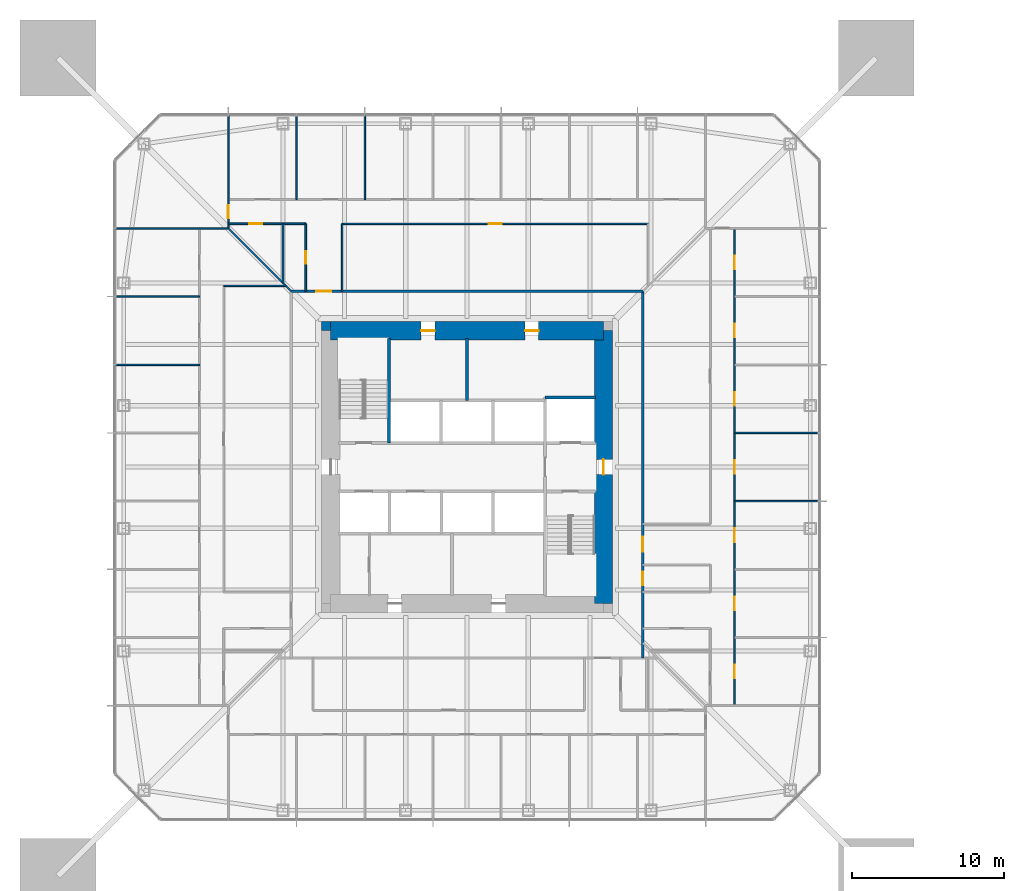
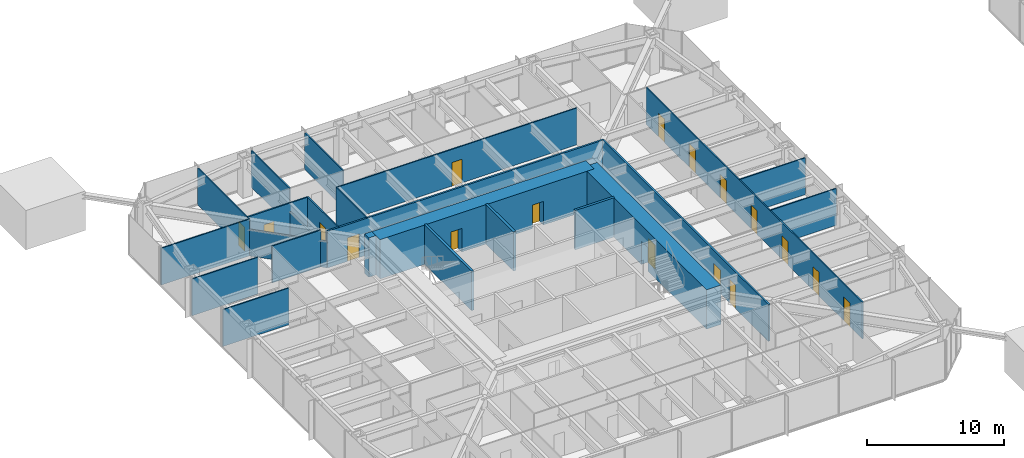
# One storey, part 16 of 26: 24 walls, 17 doors, 17 openings.
"""IFC4 building model written with IfcOpenShell, lengths in metres."""

from ifc_helpers import new_model, si_unit, direction, frame, frame_2d, origin, place, context, subcontext, project, spatial, rectangle, extrude, material, layer, layer_set, type_object, element, fill, save


model = new_model("IFC4")

# Units and contexts
model_context = context("Model", 3, precision=1e-05, world=origin(), true_north=direction((0.0, 1.0)))
body_context = subcontext(model_context, "Body", "Model", "MODEL_VIEW")
ifc_project = project(units=[si_unit("LENGTHUNIT", "METRE"), si_unit("AREAUNIT", "SQUARE_METRE"), si_unit("VOLUMEUNIT", "CUBIC_METRE"), si_unit("PLANEANGLEUNIT", "RADIAN"), si_unit("MASSUNIT", "GRAM", prefix="KILO")], contexts=[model_context])

# Site, building, storey
site_placement = place(None, origin())
site = spatial("IfcSite", under=ifc_project, at=site_placement, CompositionType="ELEMENT")
building_placement = place(site_placement, origin())
building = spatial("IfcBuilding", under=site, at=building_placement, Name="Iwan Alto Co-Living Towers", CompositionType="ELEMENT")
storey_placement = place(building_placement, frame((0.0, 0.0, 22.0)))
storey = spatial("IfcBuildingStorey", under=building, at=storey_placement, Name="L05", CompositionType="ELEMENT", Elevation=22.0)

# Wall, opening, door
ifc_material_1 = material(Name="Gypsum board")
ifc_layer_1 = layer(ifc_material_1, 0.02490234375, Name="Board", Category="Finish")
ifc_material_2 = material(Name="Steel ASTM A1003 ST33H cold-formed studs", Category="steel")
ifc_layer_2 = layer(ifc_material_2, 0.10009765625, Name="Studs", Category="Framing")
ifc_layer_3 = layer(ifc_material_1, 0.02490234375, Name="Board", Category="Finish")
ifc_layer_set_1 = layer_set([ifc_layer_1, ifc_layer_2, ifc_layer_3], Name="CORRIDOR WALL 150")
wall_type_1 = type_object("IfcWallType", Name="CORRIDOR WALL 150", PredefinedType="PARTITIONING", material=ifc_layer_set_1)
wall_1_placement = place(storey_placement, frame((-11.60009765625, 11.60009765625, 0.0), z_axis=(0.0, 0.0, 1.0), x_axis=(1.0, 0.0, 0.0)))
wall_1 = element("IfcWall", 1, at=wall_1_placement, inside=storey, type_object=wall_type_1, Name="Partition L05", PredefinedType="PARTITIONING", context=body_context, shape_type="SweptSolid", body=[
    extrude(rectangle(XDim=23.2001953125, YDim=0.14990234375, at=frame_2d((11.60009765625, 0.0))), origin(), (0.0, 0.0, 1.0), 3.27001953125),
])
opening_1_placement = place(wall_1_placement, frame((1.64990234375, 0.0, 0.0)))
opening_1 = element("IfcOpeningElement", 2, at=opening_1_placement, cuts=wall_1, Name="Opening D3", PredefinedType="OPENING", context=body_context, shape_type="SweptSolid", body=[
    extrude(rectangle(XDim=1.0, YDim=2.10009765625, at=frame_2d((0.5, 1.050048828125))), frame((0.0, 0.0849609375, 0.0), z_axis=(0.0, -1.0, 0.0), x_axis=(1.0, 0.0, 0.0)), (0.0, 0.0, 1.0), 0.169921875),
])
ifc_material_3 = material(Name="Steel frame with timber leaf", Category="steel")
door_type_1 = type_object("IfcDoorType", Name="FLAT ENTRANCE DOOR FD30S 1000X2100", OperationType="SINGLE_SWING_LEFT", PredefinedType="DOOR", material=ifc_material_3)
door_1_placement = place(opening_1_placement, origin())
door_1 = element("IfcDoor", 3, at=door_1_placement, inside=storey, type_object=door_type_1, Name="Cluster lounge door L05", OperationType="SINGLE_SWING_LEFT", OverallHeight=2.10009765625, OverallWidth=1.0, PredefinedType="DOOR", context=body_context, shape_type="SweptSolid", body=[
    extrude(rectangle(XDim=1.0, YDim=2.10009765625, at=frame_2d((0.5, 1.050048828125))), frame((0.0, 0.02490234375, 0.0), z_axis=(0.0, -1.0, 0.0), x_axis=(1.0, 0.0, 0.0)), (0.0, 0.0, 1.0), 0.050048828125),
])
fill(opening_1, door_1)

# Wall, openings, doors
wall_2_placement = place(storey_placement, frame((11.60009765625, -12.60009765625, 0.0), z_axis=(0.0, 0.0, 1.0), x_axis=(0.0, 1.0, 0.0)))
wall_2 = element("IfcWall", 4, at=wall_2_placement, inside=storey, type_object=wall_type_1, Name="Partition L05", PredefinedType="PARTITIONING", context=body_context, shape_type="SweptSolid", body=[
    extrude(rectangle(XDim=24.2001953125, YDim=0.14990234375, at=frame_2d((12.10009765625, 0.0))), origin(), (0.0, 0.0, 1.0), 3.27001953125),
])
opening_2_placement = place(wall_2_placement, frame((7.0, 0.0, 0.0)))
opening_2 = element("IfcOpeningElement", 5, at=opening_2_placement, cuts=wall_2, Name="Opening D3", PredefinedType="OPENING", context=body_context, shape_type="SweptSolid", body=[
    extrude(rectangle(XDim=1.0, YDim=2.10009765625, at=frame_2d((0.5, 1.050048828125))), frame((0.0, 0.0849609375, 0.0), z_axis=(0.0, -1.0, 0.0), x_axis=(1.0, 0.0, 0.0)), (0.0, 0.0, 1.0), 0.169921875),
])
opening_3_placement = place(wall_2_placement, frame((4.800048828125, 0.0, 0.0)))
opening_3 = element("IfcOpeningElement", 6, at=opening_3_placement, cuts=wall_2, Name="Opening D8", PredefinedType="OPENING", context=body_context, shape_type="SweptSolid", body=[
    extrude(rectangle(XDim=0.89990234375, YDim=2.10009765625, at=frame_2d((0.449951171875, 1.050048828125))), frame((0.0, 0.0849609375, 0.0), z_axis=(0.0, -1.0, 0.0), x_axis=(1.0, 0.0, 0.0)), (0.0, 0.0, 1.0), 0.169921875),
])
door_2_placement = place(opening_2_placement, frame((1.0, 0.0, 0.0), z_axis=(0.0, 0.0, 1.0), x_axis=(-1.0, 0.0, 0.0)))
door_2 = element("IfcDoor", 7, at=door_2_placement, inside=storey, type_object=door_type_1, Name="Cluster lounge door L05", OperationType="SINGLE_SWING_RIGHT", OverallHeight=2.10009765625, OverallWidth=1.0, PredefinedType="DOOR", context=body_context, shape_type="SweptSolid", body=[
    extrude(rectangle(XDim=1.0, YDim=2.10009765625, at=frame_2d((0.5, 1.050048828125))), frame((0.0, 0.02490234375, 0.0), z_axis=(0.0, -1.0, 0.0), x_axis=(1.0, 0.0, 0.0)), (0.0, 0.0, 1.0), 0.050048828125),
])
fill(opening_2, door_2)
ifc_material_4 = material(Name="Steel frame with timber leaf", Category="steel")
door_type_2 = type_object("IfcDoorType", Name="RISER DOOR FD120 900X2100", OperationType="SINGLE_SWING_LEFT", PredefinedType="DOOR", material=ifc_material_4)
door_3_placement = place(opening_3_placement, frame((0.89990234375, 0.0, 0.0), z_axis=(0.0, 0.0, 1.0), x_axis=(-1.0, 0.0, 0.0)))
door_3 = element("IfcDoor", 8, at=door_3_placement, inside=storey, type_object=door_type_2, Name="Cleaner's cupboard door L05", OperationType="SINGLE_SWING_RIGHT", OverallHeight=2.10009765625, OverallWidth=0.89990234375, PredefinedType="DOOR", context=body_context, shape_type="SweptSolid", body=[
    extrude(rectangle(XDim=0.89990234375, YDim=2.10009765625, at=frame_2d((0.449951171875, 1.050048828125))), frame((0.0, 0.02490234375, 0.0), z_axis=(0.0, -1.0, 0.0), x_axis=(1.0, 0.0, 0.0)), (0.0, 0.0, 1.0), 0.050048828125),
])
fill(opening_3, door_3)

# Walls
ifc_layer_4 = layer(ifc_material_1, 0.012451171875, Name="Board", Category="Finish")
ifc_layer_5 = layer(ifc_material_2, 0.074951171875, Name="Studs", Category="Framing")
ifc_layer_6 = layer(ifc_material_1, 0.012451171875, Name="Board", Category="Finish")
ifc_layer_set_2 = layer_set([ifc_layer_4, ifc_layer_5, ifc_layer_6], Name="PARTITION 100")
wall_type_2 = type_object("IfcWallType", Name="PARTITION 100", PredefinedType="PARTITIONING", material=ifc_layer_set_2)
for number, where, z_axis, x_axis, name in (
    (9, (17.64990234375, -2.25, 0.0), (0.0, 0.0, 1.0), (1.0, 0.0, 0.0), "Partition L05"),
    (10, (17.64990234375, 2.25, 0.0), (0.0, 0.0, 1.0), (1.0, 0.0, 0.0), "Partition L05"),
    (11, (-23.18994140625, 6.75, 0.0), (0.0, 0.0, 1.0), (1.0, 0.0, 0.0), "Partition L05"),
    (12, (-23.18994140625, 11.25, 0.0), (0.0, 0.0, 1.0), (1.0, 0.0, 0.0), "Partition L05"),
):
    element("IfcWall", number, at=place(storey_placement, frame(where, z_axis=z_axis, x_axis=x_axis)), inside=storey, type_object=wall_type_2, Name=name, PredefinedType="PARTITIONING", context=body_context, shape_type="SweptSolid", body=[
        extrude(rectangle(XDim=5.5400390625, YDim=0.10009765625, at=frame_2d((2.77001953125, 0.0))), origin(), (0.0, 0.0, 1.0), 3.27001953125),
    ])
wall_3_placement = place(storey_placement, frame((-16.050048828125, 11.949951171875, 0.0), z_axis=(0.0, 0.0, 1.0), x_axis=(1.0, 0.0, 0.0)))
element("IfcWall", 13, at=wall_3_placement, inside=storey, type_object=wall_type_2, Name="Partition L05", PredefinedType="PARTITIONING", context=body_context, shape_type="SweptSolid", body=[
    extrude(rectangle(XDim=4.10009765625, YDim=0.10009765625, at=frame_2d((2.050048828125, 0.0))), origin(), (0.0, 0.0, 1.0), 3.27001953125),
])
wall_4_placement = place(storey_placement, frame((-23.18994140625, 15.75, 0.0), z_axis=(0.0, 0.0, 1.0), x_axis=(1.0, 0.0, 0.0)))
element("IfcWall", 14, at=wall_4_placement, inside=storey, type_object=wall_type_2, Name="Partition L05", PredefinedType="PARTITIONING", context=body_context, shape_type="SweptSolid", body=[
    extrude(rectangle(XDim=7.43994140625, YDim=0.10009765625, at=frame_2d((3.719970703125, 0.0))), origin(), (0.0, 0.0, 1.0), 3.27001953125),
])

# Wall, opening, door
wall_5_placement = place(storey_placement, frame((-8.25, 16.050048828125, 0.0), z_axis=(0.0, 0.0, 1.0), x_axis=(1.0, 0.0, 0.0)))
wall_5 = element("IfcWall", 15, at=wall_5_placement, inside=storey, type_object=wall_type_2, Name="Partition L05", PredefinedType="PARTITIONING", context=body_context, shape_type="SweptSolid", body=[
    extrude(rectangle(XDim=20.199951171875, YDim=0.10009765625, at=frame_2d((10.10009765625, 0.0))), origin(), (0.0, 0.0, 1.0), 3.27001953125),
])
opening_4_placement = place(wall_5_placement, frame((9.675048828125, 0.0, 0.0)))
opening_4 = element("IfcOpeningElement", 16, at=opening_4_placement, cuts=wall_5, Name="Opening D2", PredefinedType="OPENING", context=body_context, shape_type="SweptSolid", body=[
    extrude(rectangle(XDim=0.85009765625, YDim=2.10009765625, at=frame_2d((0.425048828125, 1.050048828125))), frame((0.0, 0.06005859375, 0.0), z_axis=(0.0, -1.0, 0.0), x_axis=(1.0, 0.0, 0.0)), (0.0, 0.0, 1.0), 0.1201171875),
])
ifc_material_5 = material(Name="Timber leaf in steel frame", Category="steel")
door_type_3 = type_object("IfcDoorType", Name="ROOM DOOR 850X2100", OperationType="SINGLE_SWING_LEFT", PredefinedType="DOOR", material=ifc_material_5)
door_4_placement = place(opening_4_placement, frame((0.85009765625, 0.0, 0.0), z_axis=(0.0, 0.0, 1.0), x_axis=(-1.0, 0.0, 0.0)))
door_4 = element("IfcDoor", 17, at=door_4_placement, inside=storey, type_object=door_type_3, Name="Study lounge door L05", OperationType="SINGLE_SWING_RIGHT", OverallHeight=2.10009765625, OverallWidth=0.85009765625, PredefinedType="DOOR", context=body_context, shape_type="SweptSolid", body=[
    extrude(rectangle(XDim=0.85009765625, YDim=2.10009765625, at=frame_2d((0.425048828125, 1.050048828125))), frame((0.0, 0.02490234375, 0.0), z_axis=(0.0, -1.0, 0.0), x_axis=(1.0, 0.0, 0.0)), (0.0, 0.0, 1.0), 0.050048828125),
])
fill(opening_4, door_4)

# Wall, openings, doors
wall_6_placement = place(storey_placement, frame((17.64990234375, -15.75, 0.0), z_axis=(0.0, 0.0, 1.0), x_axis=(0.0, 1.0, 0.0)))
wall_6 = element("IfcWall", 18, at=wall_6_placement, inside=storey, type_object=wall_type_2, Name="Partition L05", PredefinedType="PARTITIONING", context=body_context, shape_type="SweptSolid", body=[
    extrude(rectangle(XDim=31.5, YDim=0.10009765625, at=frame_2d((15.75, 0.0))), origin(), (0.0, 0.0, 1.0), 3.27001953125),
])
opening_5_placement = place(wall_6_placement, frame((1.800048828125, 0.0, 0.0)))
opening_5 = element("IfcOpeningElement", 19, at=opening_5_placement, cuts=wall_6, Name="Opening D1", PredefinedType="OPENING", context=body_context, shape_type="SweptSolid", body=[
    extrude(rectangle(XDim=0.89990234375, YDim=2.10009765625, at=frame_2d((0.449951171875, 1.050048828125))), frame((0.0, 0.06005859375, 0.0), z_axis=(0.0, -1.0, 0.0), x_axis=(1.0, 0.0, 0.0)), (0.0, 0.0, 1.0), 0.1201171875),
])
opening_6_placement = place(wall_6_placement, frame((6.300048828125, 0.0, 0.0)))
opening_6 = element("IfcOpeningElement", 20, at=opening_6_placement, cuts=wall_6, Name="Opening D1", PredefinedType="OPENING", context=body_context, shape_type="SweptSolid", body=[
    extrude(rectangle(XDim=0.89990234375, YDim=2.10009765625, at=frame_2d((0.449951171875, 1.050048828125))), frame((0.0, 0.06005859375, 0.0), z_axis=(0.0, -1.0, 0.0), x_axis=(1.0, 0.0, 0.0)), (0.0, 0.0, 1.0), 0.1201171875),
])
opening_7_placement = place(wall_6_placement, frame((10.800048828125, 0.0, 0.0)))
opening_7 = element("IfcOpeningElement", 21, at=opening_7_placement, cuts=wall_6, Name="Opening D1", PredefinedType="OPENING", context=body_context, shape_type="SweptSolid", body=[
    extrude(rectangle(XDim=0.89990234375, YDim=2.10009765625, at=frame_2d((0.449951171875, 1.050048828125))), frame((0.0, 0.06005859375, 0.0), z_axis=(0.0, -1.0, 0.0), x_axis=(1.0, 0.0, 0.0)), (0.0, 0.0, 1.0), 0.1201171875),
])
opening_8_placement = place(wall_6_placement, frame((15.300048828125, 0.0, 0.0)))
opening_8 = element("IfcOpeningElement", 22, at=opening_8_placement, cuts=wall_6, Name="Opening D1", PredefinedType="OPENING", context=body_context, shape_type="SweptSolid", body=[
    extrude(rectangle(XDim=0.89990234375, YDim=2.10009765625, at=frame_2d((0.449951171875, 1.050048828125))), frame((0.0, 0.06005859375, 0.0), z_axis=(0.0, -1.0, 0.0), x_axis=(1.0, 0.0, 0.0)), (0.0, 0.0, 1.0), 0.1201171875),
])
opening_9_placement = place(wall_6_placement, frame((19.800048828125, 0.0, 0.0)))
opening_9 = element("IfcOpeningElement", 23, at=opening_9_placement, cuts=wall_6, Name="Opening D1", PredefinedType="OPENING", context=body_context, shape_type="SweptSolid", body=[
    extrude(rectangle(XDim=0.89990234375, YDim=2.10009765625, at=frame_2d((0.449951171875, 1.050048828125))), frame((0.0, 0.06005859375, 0.0), z_axis=(0.0, -1.0, 0.0), x_axis=(1.0, 0.0, 0.0)), (0.0, 0.0, 1.0), 0.1201171875),
])
opening_10_placement = place(wall_6_placement, frame((24.300048828125, 0.0, 0.0)))
opening_10 = element("IfcOpeningElement", 24, at=opening_10_placement, cuts=wall_6, Name="Opening D1", PredefinedType="OPENING", context=body_context, shape_type="SweptSolid", body=[
    extrude(rectangle(XDim=0.89990234375, YDim=2.10009765625, at=frame_2d((0.449951171875, 1.050048828125))), frame((0.0, 0.06005859375, 0.0), z_axis=(0.0, -1.0, 0.0), x_axis=(1.0, 0.0, 0.0)), (0.0, 0.0, 1.0), 0.1201171875),
])
opening_11_placement = place(wall_6_placement, frame((28.800048828125, 0.0, 0.0)))
opening_11 = element("IfcOpeningElement", 25, at=opening_11_placement, cuts=wall_6, Name="Opening D1", PredefinedType="OPENING", context=body_context, shape_type="SweptSolid", body=[
    extrude(rectangle(XDim=0.89990234375, YDim=2.10009765625, at=frame_2d((0.449951171875, 1.050048828125))), frame((0.0, 0.06005859375, 0.0), z_axis=(0.0, -1.0, 0.0), x_axis=(1.0, 0.0, 0.0)), (0.0, 0.0, 1.0), 0.1201171875),
])
ifc_material_6 = material(Name="Timber leaf in steel frame", Category="steel")
door_type_4 = type_object("IfcDoorType", Name="BEDROOM DOOR 900X2100", OperationType="SINGLE_SWING_LEFT", PredefinedType="DOOR", material=ifc_material_6)
door_5_placement = place(opening_5_placement, origin())
door_5 = element("IfcDoor", 26, at=door_5_placement, inside=storey, type_object=door_type_4, Name="Study bedroom door L05", OperationType="SINGLE_SWING_LEFT", OverallHeight=2.10009765625, OverallWidth=0.89990234375, PredefinedType="DOOR", context=body_context, shape_type="SweptSolid", body=[
    extrude(rectangle(XDim=0.89990234375, YDim=2.10009765625, at=frame_2d((0.449951171875, 1.050048828125))), frame((0.0, 0.02490234375, 0.0), z_axis=(0.0, -1.0, 0.0), x_axis=(1.0, 0.0, 0.0)), (0.0, 0.0, 1.0), 0.050048828125),
])
fill(opening_5, door_5)
door_6_placement = place(opening_6_placement, origin())
door_6 = element("IfcDoor", 27, at=door_6_placement, inside=storey, type_object=door_type_4, Name="Study bedroom door L05", OperationType="SINGLE_SWING_LEFT", OverallHeight=2.10009765625, OverallWidth=0.89990234375, PredefinedType="DOOR", context=body_context, shape_type="SweptSolid", body=[
    extrude(rectangle(XDim=0.89990234375, YDim=2.10009765625, at=frame_2d((0.449951171875, 1.050048828125))), frame((0.0, 0.02490234375, 0.0), z_axis=(0.0, -1.0, 0.0), x_axis=(1.0, 0.0, 0.0)), (0.0, 0.0, 1.0), 0.050048828125),
])
fill(opening_6, door_6)
door_7_placement = place(opening_7_placement, origin())
door_7 = element("IfcDoor", 28, at=door_7_placement, inside=storey, type_object=door_type_4, Name="Study bedroom door L05", OperationType="SINGLE_SWING_LEFT", OverallHeight=2.10009765625, OverallWidth=0.89990234375, PredefinedType="DOOR", context=body_context, shape_type="SweptSolid", body=[
    extrude(rectangle(XDim=0.89990234375, YDim=2.10009765625, at=frame_2d((0.449951171875, 1.050048828125))), frame((0.0, 0.02490234375, 0.0), z_axis=(0.0, -1.0, 0.0), x_axis=(1.0, 0.0, 0.0)), (0.0, 0.0, 1.0), 0.050048828125),
])
fill(opening_7, door_7)
door_8_placement = place(opening_8_placement, origin())
door_8 = element("IfcDoor", 29, at=door_8_placement, inside=storey, type_object=door_type_4, Name="Study bedroom door L05", OperationType="SINGLE_SWING_LEFT", OverallHeight=2.10009765625, OverallWidth=0.89990234375, PredefinedType="DOOR", context=body_context, shape_type="SweptSolid", body=[
    extrude(rectangle(XDim=0.89990234375, YDim=2.10009765625, at=frame_2d((0.449951171875, 1.050048828125))), frame((0.0, 0.02490234375, 0.0), z_axis=(0.0, -1.0, 0.0), x_axis=(1.0, 0.0, 0.0)), (0.0, 0.0, 1.0), 0.050048828125),
])
fill(opening_8, door_8)
door_9_placement = place(opening_9_placement, origin())
door_9 = element("IfcDoor", 30, at=door_9_placement, inside=storey, type_object=door_type_4, Name="Study bedroom door L05", OperationType="SINGLE_SWING_RIGHT", OverallHeight=2.10009765625, OverallWidth=0.89990234375, PredefinedType="DOOR", context=body_context, shape_type="SweptSolid", body=[
    extrude(rectangle(XDim=0.89990234375, YDim=2.10009765625, at=frame_2d((0.449951171875, 1.050048828125))), frame((0.0, 0.02490234375, 0.0), z_axis=(0.0, -1.0, 0.0), x_axis=(1.0, 0.0, 0.0)), (0.0, 0.0, 1.0), 0.050048828125),
])
fill(opening_9, door_9)
door_10_placement = place(opening_10_placement, origin())
door_10 = element("IfcDoor", 31, at=door_10_placement, inside=storey, type_object=door_type_4, Name="Study bedroom door L05", OperationType="SINGLE_SWING_RIGHT", OverallHeight=2.10009765625, OverallWidth=0.89990234375, PredefinedType="DOOR", context=body_context, shape_type="SweptSolid", body=[
    extrude(rectangle(XDim=0.89990234375, YDim=2.10009765625, at=frame_2d((0.449951171875, 1.050048828125))), frame((0.0, 0.02490234375, 0.0), z_axis=(0.0, -1.0, 0.0), x_axis=(1.0, 0.0, 0.0)), (0.0, 0.0, 1.0), 0.050048828125),
])
fill(opening_10, door_10)
door_11_placement = place(opening_11_placement, origin())
door_11 = element("IfcDoor", 32, at=door_11_placement, inside=storey, type_object=door_type_4, Name="Study bedroom door L05", OperationType="SINGLE_SWING_RIGHT", OverallHeight=2.10009765625, OverallWidth=0.89990234375, PredefinedType="DOOR", context=body_context, shape_type="SweptSolid", body=[
    extrude(rectangle(XDim=0.89990234375, YDim=2.10009765625, at=frame_2d((0.449951171875, 1.050048828125))), frame((0.0, 0.02490234375, 0.0), z_axis=(0.0, -1.0, 0.0), x_axis=(1.0, 0.0, 0.0)), (0.0, 0.0, 1.0), 0.050048828125),
])
fill(opening_11, door_11)

# Walls
wall_7_placement = place(storey_placement, frame((-6.75, 17.64990234375, 0.0), z_axis=(0.0, 0.0, 1.0), x_axis=(0.0, 1.0, 0.0)))
element("IfcWall", 33, at=wall_7_placement, inside=storey, type_object=wall_type_2, Name="Partition L05", PredefinedType="PARTITIONING", context=body_context, shape_type="SweptSolid", body=[
    extrude(rectangle(XDim=5.5400390625, YDim=0.10009765625, at=frame_2d((2.77001953125, 0.0))), origin(), (0.0, 0.0, 1.0), 3.27001953125),
])
wall_8_placement = place(storey_placement, frame((-8.25, 11.60009765625, 0.0), z_axis=(0.0, 0.0, 1.0), x_axis=(0.0, 1.0, 0.0)))
element("IfcWall", 34, at=wall_8_placement, inside=storey, type_object=wall_type_2, Name="Partition L05", PredefinedType="PARTITIONING", context=body_context, shape_type="SweptSolid", body=[
    extrude(rectangle(XDim=4.449951171875, YDim=0.10009765625, at=frame_2d((2.22509765625, 0.0))), origin(), (0.0, 0.0, 1.0), 3.27001953125),
])
wall_9_placement = place(storey_placement, frame((-11.25, 17.64990234375, 0.0), z_axis=(0.0, 0.0, 1.0), x_axis=(0.0, 1.0, 0.0)))
element("IfcWall", 35, at=wall_9_placement, inside=storey, type_object=wall_type_2, Name="Partition L05", PredefinedType="PARTITIONING", context=body_context, shape_type="SweptSolid", body=[
    extrude(rectangle(XDim=5.5400390625, YDim=0.10009765625, at=frame_2d((2.77001953125, 0.0))), origin(), (0.0, 0.0, 1.0), 3.27001953125),
])

# Wall, opening, door
wall_10_placement = place(storey_placement, frame((-15.75, 15.75, 0.0), z_axis=(0.0, 0.0, 1.0), x_axis=(0.0, 1.0, 0.0)))
wall_10 = element("IfcWall", 36, at=wall_10_placement, inside=storey, type_object=wall_type_2, Name="Partition L05", PredefinedType="PARTITIONING", context=body_context, shape_type="SweptSolid", body=[
    extrude(rectangle(XDim=7.43994140625, YDim=0.10009765625, at=frame_2d((3.719970703125, 0.0))), origin(), (0.0, 0.0, 1.0), 3.27001953125),
])
opening_12_placement = place(wall_10_placement, frame((0.675048828125, 0.0, 0.0)))
opening_12 = element("IfcOpeningElement", 37, at=opening_12_placement, cuts=wall_10, Name="Opening D2", PredefinedType="OPENING", context=body_context, shape_type="SweptSolid", body=[
    extrude(rectangle(XDim=0.85009765625, YDim=2.10009765625, at=frame_2d((0.425048828125, 1.050048828125))), frame((0.0, 0.06005859375, 0.0), z_axis=(0.0, -1.0, 0.0), x_axis=(1.0, 0.0, 0.0)), (0.0, 0.0, 1.0), 0.1201171875),
])
door_12_placement = place(opening_12_placement, frame((0.85009765625, 0.0, 0.0), z_axis=(0.0, 0.0, 1.0), x_axis=(-1.0, 0.0, 0.0)))
door_12 = element("IfcDoor", 38, at=door_12_placement, inside=storey, type_object=door_type_3, Name="Shared kitchen and lounge door L05", OperationType="SINGLE_SWING_RIGHT", OverallHeight=2.10009765625, OverallWidth=0.85009765625, PredefinedType="DOOR", context=body_context, shape_type="SweptSolid", body=[
    extrude(rectangle(XDim=0.85009765625, YDim=2.10009765625, at=frame_2d((0.425048828125, 1.050048828125))), frame((0.0, 0.02490234375, 0.0), z_axis=(0.0, -1.0, 0.0), x_axis=(1.0, 0.0, 0.0)), (0.0, 0.0, 1.0), 0.050048828125),
])
fill(opening_12, door_12)

# Walls
ifc_material_7 = material(Name="Concrete f'c 70 MPa", Category="concrete")
ifc_layer_7 = layer(ifc_material_7, 0.199951171875)
ifc_layer_set_3 = layer_set([ifc_layer_7], Name="SHAFT WALL 200")
wall_type_3 = type_object("IfcWallType", Name="SHAFT WALL 200", PredefinedType="SOLIDWALL", material=ifc_layer_set_3)
wall_11_placement = place(storey_placement, frame((5.14990234375, 4.60009765625, 0.0), z_axis=(0.0, 0.0, 1.0), x_axis=(1.0, 0.0, 0.0)))
element("IfcWall", 39, at=wall_11_placement, inside=storey, type_object=wall_type_3, Name="Shaft wall L05", PredefinedType="SOLIDWALL", context=body_context, shape_type="SweptSolid", body=[
    extrude(rectangle(XDim=3.340087890625, YDim=0.199951171875, at=frame_2d((1.669921875, 0.0))), origin(), (0.0, 0.0, 1.0), 3.5),
])
wall_12_placement = place(storey_placement, frame((0.0, 4.39990234375, 0.0), z_axis=(0.0, 0.0, 1.0), x_axis=(0.0, 1.0, 0.0)))
element("IfcWall", 40, at=wall_12_placement, inside=storey, type_object=wall_type_3, Name="Shaft wall L05", PredefinedType="SOLIDWALL", context=body_context, shape_type="SweptSolid", body=[
    extrude(rectangle(XDim=4.090087890625, YDim=0.199951171875, at=frame_2d((2.044921875, 0.0))), origin(), (0.0, 0.0, 1.0), 3.5),
])
wall_13_placement = place(storey_placement, frame((-5.14990234375, 1.60009765625, 0.0), z_axis=(0.0, 0.0, 1.0), x_axis=(0.0, 1.0, 0.0)))
element("IfcWall", 41, at=wall_13_placement, inside=storey, type_object=wall_type_3, Name="Shaft wall L05", PredefinedType="SOLIDWALL", context=body_context, shape_type="SweptSolid", body=[
    extrude(rectangle(XDim=6.889892578125, YDim=0.199951171875, at=frame_2d((3.44482421875, 0.0))), origin(), (0.0, 0.0, 1.0), 3.5),
])
ifc_material_8 = material(Name="Concrete f'c 70 MPa", Category="concrete")
ifc_layer_8 = layer(ifc_material_8, 0.60009765625)
ifc_layer_set_4 = layer_set([ifc_layer_8], Name="T1 CORE CORNER FILL 600")
wall_type_4 = type_object("IfcWallType", Name="T1 CORE CORNER FILL 600", PredefinedType="SOLIDWALL", material=ifc_layer_set_4)
wall_14_placement = place(storey_placement, frame((-9.60009765625, 9.300048828125, 0.0), z_axis=(0.0, 0.0, 1.0), x_axis=(1.0, 0.0, 0.0)))
element("IfcWall", 42, at=wall_14_placement, inside=storey, type_object=wall_type_4, Name="T1 core corner NW L05", PredefinedType="SOLIDWALL", context=body_context, shape_type="SweptSolid", body=[
    extrude(rectangle(XDim=0.60009765625, YDim=0.60009765625, at=frame_2d((0.300048828125, 0.0))), origin(), (0.0, 0.0, 1.0), 3.5),
])

# Wall, openings, doors
ifc_material_9 = material(Name="Concrete f'c 70 MPa", Category="concrete")
ifc_layer_9 = layer(ifc_material_9, 1.199951171875)
ifc_layer_set_5 = layer_set([ifc_layer_9], Name="T1 CORE WALL 1200")
wall_type_5 = type_object("IfcWallType", Name="T1 CORE WALL 1200", PredefinedType="SHEAR", material=ifc_layer_set_5)
wall_15_placement = place(storey_placement, frame((9.0, 9.0, 0.0), z_axis=(0.0, 0.0, 1.0), x_axis=(-1.0, 0.0, 0.0)))
wall_15 = element("IfcWall", 43, at=wall_15_placement, inside=storey, type_object=wall_type_5, Name="T1 core wall N L05", PredefinedType="SHEAR", context=body_context, shape_type="SweptSolid", body=[
    extrude(rectangle(XDim=18.0, YDim=1.199951171875, at=frame_2d((9.0, 0.0))), origin(), (0.0, 0.0, 1.0), 3.5),
])
opening_13_placement = place(wall_15_placement, frame((11.125, 0.0, 0.0)))
opening_13 = element("IfcOpeningElement", 44, at=opening_13_placement, cuts=wall_15, Name="Opening D8", PredefinedType="OPENING", context=body_context, shape_type="SweptSolid", body=[
    extrude(rectangle(XDim=0.89990234375, YDim=2.10009765625, at=frame_2d((0.449951171875, 1.050048828125))), frame((0.0, 0.60986328125, 0.0), z_axis=(0.0, -1.0, 0.0), x_axis=(1.0, 0.0, 0.0)), (0.0, 0.0, 1.0), 1.219970703125),
])
opening_14_placement = place(wall_15_placement, frame((4.27490234375, 0.0, 0.0)))
opening_14 = element("IfcOpeningElement", 45, at=opening_14_placement, cuts=wall_15, Name="Opening D8", PredefinedType="OPENING", context=body_context, shape_type="SweptSolid", body=[
    extrude(rectangle(XDim=0.89990234375, YDim=2.10009765625, at=frame_2d((0.449951171875, 1.050048828125))), frame((0.0, 0.60986328125, 0.0), z_axis=(0.0, -1.0, 0.0), x_axis=(1.0, 0.0, 0.0)), (0.0, 0.0, 1.0), 1.219970703125),
])
door_13_placement = place(opening_13_placement, origin())
door_13 = element("IfcDoor", 46, at=door_13_placement, inside=storey, type_object=door_type_2, Name="Electrical riser core door L05", OperationType="SINGLE_SWING_RIGHT", OverallHeight=2.10009765625, OverallWidth=0.89990234375, PredefinedType="DOOR", context=body_context, shape_type="SweptSolid", body=[
    extrude(rectangle(XDim=0.89990234375, YDim=2.10009765625, at=frame_2d((0.449951171875, 1.050048828125))), frame((0.0, 0.02490234375, 0.0), z_axis=(0.0, -1.0, 0.0), x_axis=(1.0, 0.0, 0.0)), (0.0, 0.0, 1.0), 0.050048828125),
])
fill(opening_13, door_13)
door_14_placement = place(opening_14_placement, origin())
door_14 = element("IfcDoor", 47, at=door_14_placement, inside=storey, type_object=door_type_2, Name="Water and drainage riser core door L05", OperationType="SINGLE_SWING_RIGHT", OverallHeight=2.10009765625, OverallWidth=0.89990234375, PredefinedType="DOOR", context=body_context, shape_type="SweptSolid", body=[
    extrude(rectangle(XDim=0.89990234375, YDim=2.10009765625, at=frame_2d((0.449951171875, 1.050048828125))), frame((0.0, 0.02490234375, 0.0), z_axis=(0.0, -1.0, 0.0), x_axis=(1.0, 0.0, 0.0)), (0.0, 0.0, 1.0), 0.050048828125),
])
fill(opening_14, door_14)

# Wall, opening, door
wall_16_placement = place(storey_placement, frame((9.0, -9.0, 0.0), z_axis=(0.0, 0.0, 1.0), x_axis=(0.0, 1.0, 0.0)))
wall_16 = element("IfcWall", 48, at=wall_16_placement, inside=storey, type_object=wall_type_5, Name="T1 core wall E L05", PredefinedType="SHEAR", context=body_context, shape_type="SweptSolid", body=[
    extrude(rectangle(XDim=18.0, YDim=1.199951171875, at=frame_2d((9.0, 0.0))), origin(), (0.0, 0.0, 1.0), 3.5),
])
opening_15_placement = place(wall_16_placement, frame((8.5, 0.0, 0.0)))
opening_15 = element("IfcOpeningElement", 49, at=opening_15_placement, cuts=wall_16, Name="Opening D7", PredefinedType="OPENING", context=body_context, shape_type="SweptSolid", body=[
    extrude(rectangle(XDim=1.0, YDim=2.10009765625, at=frame_2d((0.5, 1.050048828125))), frame((0.0, 0.60986328125, 0.0), z_axis=(0.0, -1.0, 0.0), x_axis=(1.0, 0.0, 0.0)), (0.0, 0.0, 1.0), 1.219970703125),
])
ifc_material_10 = material(Name="Steel frame with timber leaf", Category="steel")
door_type_5 = type_object("IfcDoorType", Name="CORE DOOR FD120S 1000X2100", OperationType="SINGLE_SWING_LEFT", PredefinedType="DOOR", material=ifc_material_10)
door_15_placement = place(opening_15_placement, origin())
door_15 = element("IfcDoor", 50, at=door_15_placement, inside=storey, type_object=door_type_5, Name="Firefighting lobby core door L05", OperationType="SINGLE_SWING_LEFT", OverallHeight=2.10009765625, OverallWidth=1.0, PredefinedType="DOOR", context=body_context, shape_type="SweptSolid", body=[
    extrude(rectangle(XDim=1.0, YDim=2.10009765625, at=frame_2d((0.5, 1.050048828125))), frame((0.0, 0.02490234375, 0.0), z_axis=(0.0, -1.0, 0.0), x_axis=(1.0, 0.0, 0.0)), (0.0, 0.0, 1.0), 0.050048828125),
])
fill(opening_15, door_15)

ifc_material_11 = material(Name="Cement board")
ifc_layer_10 = layer(ifc_material_11, 0.012451171875, Name="Board", Category="Finish")
ifc_layer_11 = layer(ifc_material_2, 0.094970703125, Name="Studs", Category="Framing")
ifc_layer_12 = layer(ifc_material_11, 0.012451171875, Name="Board", Category="Finish")
ifc_layer_set_6 = layer_set([ifc_layer_10, ifc_layer_11, ifc_layer_12], Name="WET AREA PARTITION 120")
wall_type_6 = type_object("IfcWallType", Name="WET AREA PARTITION 120", PredefinedType="PARTITIONING", material=ifc_layer_set_6)
wall_17_placement = place(storey_placement, frame((-15.75, 16.050048828125, 0.0), z_axis=(0.0, 0.0, 1.0), x_axis=(1.0, 0.0, 0.0)))
wall_17 = element("IfcWall", 51, at=wall_17_placement, inside=storey, type_object=wall_type_6, Name="Partition L05", PredefinedType="PARTITIONING", context=body_context, shape_type="SweptSolid", body=[
    extrude(rectangle(XDim=5.10009765625, YDim=0.1201171875, at=frame_2d((2.550048828125, 0.0))), origin(), (0.0, 0.0, 1.0), 3.27001953125),
])
opening_16_placement = place(wall_17_placement, frame((1.375, 0.0, 0.0)))
opening_16 = element("IfcOpeningElement", 52, at=opening_16_placement, cuts=wall_17, Name="Opening D2", PredefinedType="OPENING", context=body_context, shape_type="SweptSolid", body=[
    extrude(rectangle(XDim=0.85009765625, YDim=2.10009765625, at=frame_2d((0.425048828125, 1.050048828125))), frame((0.0, 0.070068359375, 0.0), z_axis=(0.0, -1.0, 0.0), x_axis=(1.0, 0.0, 0.0)), (0.0, 0.0, 1.0), 0.14013671875),
])
door_16_placement = place(opening_16_placement, origin())
door_16 = element("IfcDoor", 53, at=door_16_placement, inside=storey, type_object=door_type_3, Name="Accessible bathroom door L05", OperationType="SINGLE_SWING_LEFT", OverallHeight=2.10009765625, OverallWidth=0.85009765625, PredefinedType="DOOR", context=body_context, shape_type="SweptSolid", body=[
    extrude(rectangle(XDim=0.85009765625, YDim=2.10009765625, at=frame_2d((0.425048828125, 1.050048828125))), frame((0.0, 0.02490234375, 0.0), z_axis=(0.0, -1.0, 0.0), x_axis=(1.0, 0.0, 0.0)), (0.0, 0.0, 1.0), 0.050048828125),
])
fill(opening_16, door_16)

wall_18_placement = place(storey_placement, frame((-10.64990234375, 11.60009765625, 0.0), z_axis=(0.0, 0.0, 1.0), x_axis=(0.0, 1.0, 0.0)))
wall_18 = element("IfcWall", 54, at=wall_18_placement, inside=storey, type_object=wall_type_6, Name="Partition L05", PredefinedType="PARTITIONING", context=body_context, shape_type="SweptSolid", body=[
    extrude(rectangle(XDim=4.449951171875, YDim=0.1201171875, at=frame_2d((2.22509765625, 0.0))), origin(), (0.0, 0.0, 1.0), 3.27001953125),
])
opening_17_placement = place(wall_18_placement, frame((1.800048828125, 0.0, 0.0)))
opening_17 = element("IfcOpeningElement", 55, at=opening_17_placement, cuts=wall_18, Name="Opening D2", PredefinedType="OPENING", context=body_context, shape_type="SweptSolid", body=[
    extrude(rectangle(XDim=0.85009765625, YDim=2.10009765625, at=frame_2d((0.425048828125, 1.050048828125))), frame((0.0, 0.070068359375, 0.0), z_axis=(0.0, -1.0, 0.0), x_axis=(1.0, 0.0, 0.0)), (0.0, 0.0, 1.0), 0.14013671875),
])
door_17_placement = place(opening_17_placement, frame((0.85009765625, 0.0, 0.0), z_axis=(0.0, 0.0, 1.0), x_axis=(-1.0, 0.0, 0.0)))
door_17 = element("IfcDoor", 56, at=door_17_placement, inside=storey, type_object=door_type_3, Name="Bathroom door L05", OperationType="SINGLE_SWING_RIGHT", OverallHeight=2.10009765625, OverallWidth=0.85009765625, PredefinedType="DOOR", context=body_context, shape_type="SweptSolid", body=[
    extrude(rectangle(XDim=0.85009765625, YDim=2.10009765625, at=frame_2d((0.425048828125, 1.050048828125))), frame((0.0, 0.02490234375, 0.0), z_axis=(0.0, -1.0, 0.0), x_axis=(1.0, 0.0, 0.0)), (0.0, 0.0, 1.0), 0.050048828125),
])
fill(opening_17, door_17)

# Walls
wall_19_placement = place(storey_placement, frame((-12.14990234375, 12.14990234375, 0.0), z_axis=(0.0, 0.0, 1.0), x_axis=(0.0, 1.0, 0.0)))
element("IfcWall", 57, at=wall_19_placement, inside=storey, type_object=wall_type_6, Name="Partition L05", PredefinedType="PARTITIONING", context=body_context, shape_type="SweptSolid", body=[
    extrude(rectangle(XDim=3.900146484375, YDim=0.1201171875, at=frame_2d((1.9501953125, 0.0))), origin(), (0.0, 0.0, 1.0), 2.508056640625),
])
wall_20_placement = place(storey_placement, frame((-11.60009765625, 11.60009765625, 0.0), z_axis=(0.0, 0.0, 1.0), x_axis=(-0.707106781187, 0.707106781187, 0.0)))
element("IfcWall", 58, at=wall_20_placement, inside=storey, type_object=wall_type_6, Name="Partition L05", PredefinedType="PARTITIONING", context=body_context, shape_type="SweptSolid", body=[
    extrude(rectangle(XDim=5.868896484375, YDim=0.1201171875, at=frame_2d((2.9345703125, 0.0))), origin(), (0.0, 0.0, 1.0), 2.343017578125),
])

save(model, "model.ifc")
